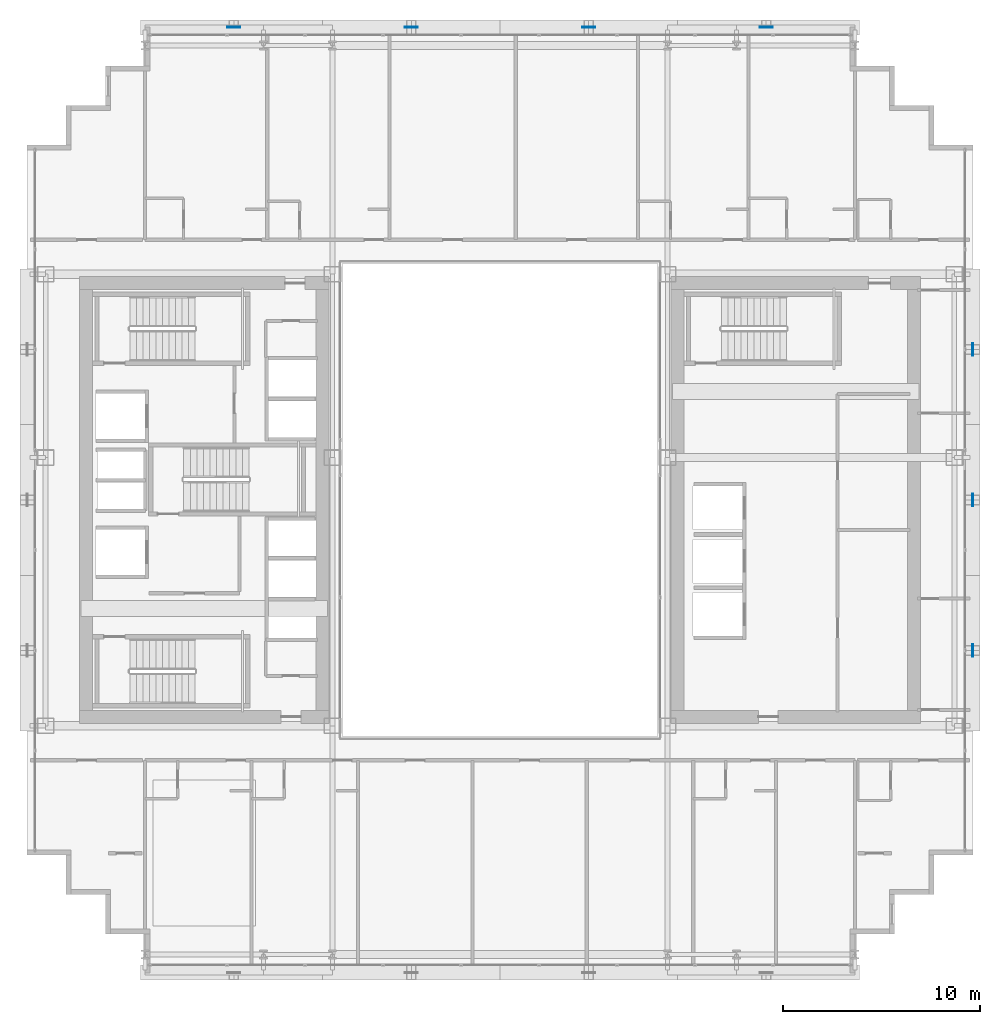
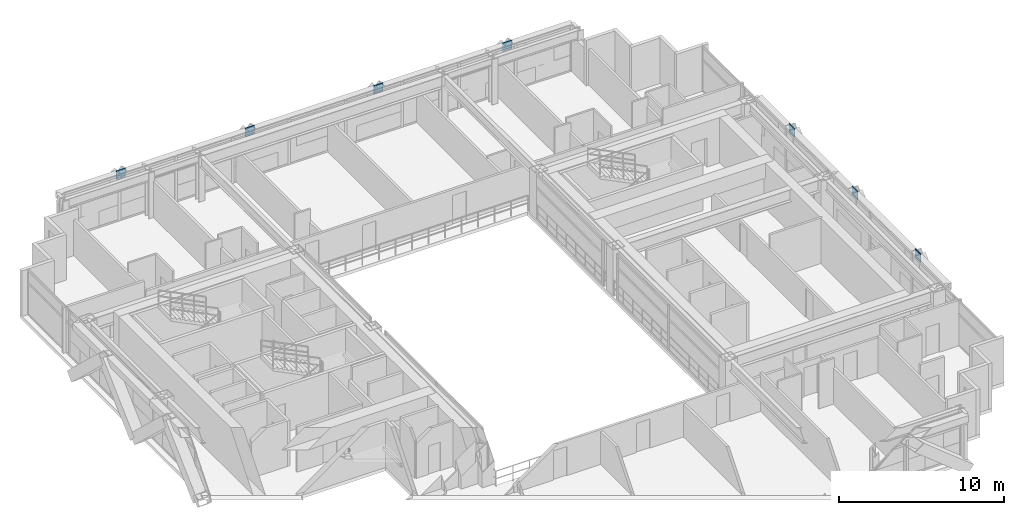
# One storey, part 30 of 39: 7 plates.
"""IFC4 building model written with IfcOpenShell, lengths in metres."""

from ifc_helpers import new_model, si_unit, direction, frame, origin, origin_2d, place, context, subcontext, project, spatial, rectangle, extrude, source, transform, mapped, material, layer, layer_set, type_object, element, save


model = new_model("IFC4")

# Units and contexts
model_context = context("Model", 3, precision=1e-05, world=origin(), true_north=direction((0.0, 1.0)))
body_context = subcontext(model_context, "Body", "Model", "MODEL_VIEW")
ifc_project = project(units=[si_unit("LENGTHUNIT", "METRE"), si_unit("AREAUNIT", "SQUARE_METRE"), si_unit("VOLUMEUNIT", "CUBIC_METRE"), si_unit("PLANEANGLEUNIT", "RADIAN"), si_unit("MASSUNIT", "GRAM", prefix="KILO")], contexts=[model_context])

# Site, building, storey
site_placement = place(None, origin())
site = spatial("IfcSite", under=ifc_project, at=site_placement, CompositionType="ELEMENT")
building_placement = place(site_placement, origin())
building = spatial("IfcBuilding", under=site, at=building_placement, Name="Ocotamira Hotel", CompositionType="ELEMENT")
storey_placement = place(building_placement, frame((0.0, 0.0, 126.0)))
storey = spatial("IfcBuildingStorey", under=building, at=storey_placement, Name="L31", CompositionType="ELEMENT", Elevation=126.0)

# Plates
ifc_material = material(Name="Pale-metal coated steel ASTM A572 Grade 50", Category="steel")
ifc_layer = layer(ifc_material, 0.0400390625)
ifc_layer_set = layer_set([ifc_layer], Name="Pale-metal coated steel ASTM A572 Grade 50")
plate_type = type_object("IfcPlateType", Name="PLT-GUSSET-40", PredefinedType="SHEET", material=ifc_layer_set)
shared_shape_1 = source(origin(), body_context, "Body", "SweptSolid", [
    extrude(rectangle(XDim=0.64990234375, YDim=0.0400390625, at=origin_2d()), origin(), (0.0, 0.0, 1.0), 0.64990234375),
])
for number, where, z_axis, x_axis, name in (
    (1, (18.5, 49.969970703125, 2.78515625), (0.0, 0.0, 1.0), (1.0, 0.0, 0.0), "L31 Exoskeleton Diagrid N0.1 End Gusset B"),
    (2, (27.5, 49.969970703125, 2.78515625), (0.0, 0.0, 1.0), (1.0, 0.0, 0.0), "L31 Exoskeleton Diagrid N1.1 End Gusset B"),
    (3, (36.5, 49.969970703125, 2.78515625), (0.0, 0.0, 1.0), (1.0, 0.0, 0.0), "L31 Exoskeleton Diagrid N2.1 End Gusset B"),
    (4, (45.5, 49.969970703125, 2.78515625), (0.0, 0.0, 1.0), (1.0, 0.0, 0.0), "L31 Exoskeleton Diagrid N3.1 End Gusset B"),
):
    element("IfcPlate", number, at=place(storey_placement, frame(where, z_axis=z_axis, x_axis=x_axis)), inside=storey, type_object=plate_type, Name=name, PredefinedType="SHEET", context=body_context, shape_type="MappedRepresentation", body=[
        mapped(shared_shape_1, transform((0.0, 0.0, 0.0), scale=1.0)),
    ])
shared_shape_2 = source(origin(), body_context, "Body", "SweptSolid", [
    extrude(rectangle(XDim=0.0400390625, YDim=0.64990234375, at=origin_2d()), origin(), (0.0, 0.0, 1.0), 0.64990234375),
])
for number, where, z_axis, x_axis, name in (
    (5, (55.969970703125, 18.36669921875, 2.78515625), (0.0, 0.0, 1.0), (1.0, 0.0, 0.0), "L31 Exoskeleton Diagrid E0.1 End Gusset B"),
    (6, (55.969970703125, 26.0, 2.78515625), (0.0, 0.0, 1.0), (1.0, 0.0, 0.0), "L31 Exoskeleton Diagrid E1.1 End Gusset B"),
    (7, (55.969970703125, 33.63330078125, 2.78515625), (0.0, 0.0, 1.0), (1.0, 0.0, 0.0), "L31 Exoskeleton Diagrid E2.1 End Gusset B"),
):
    element("IfcPlate", number, at=place(storey_placement, frame(where, z_axis=z_axis, x_axis=x_axis)), inside=storey, type_object=plate_type, Name=name, PredefinedType="SHEET", context=body_context, shape_type="MappedRepresentation", body=[
        mapped(shared_shape_2, transform((0.0, 0.0, 0.0), scale=1.0)),
    ])

save(model, "model.ifc")
